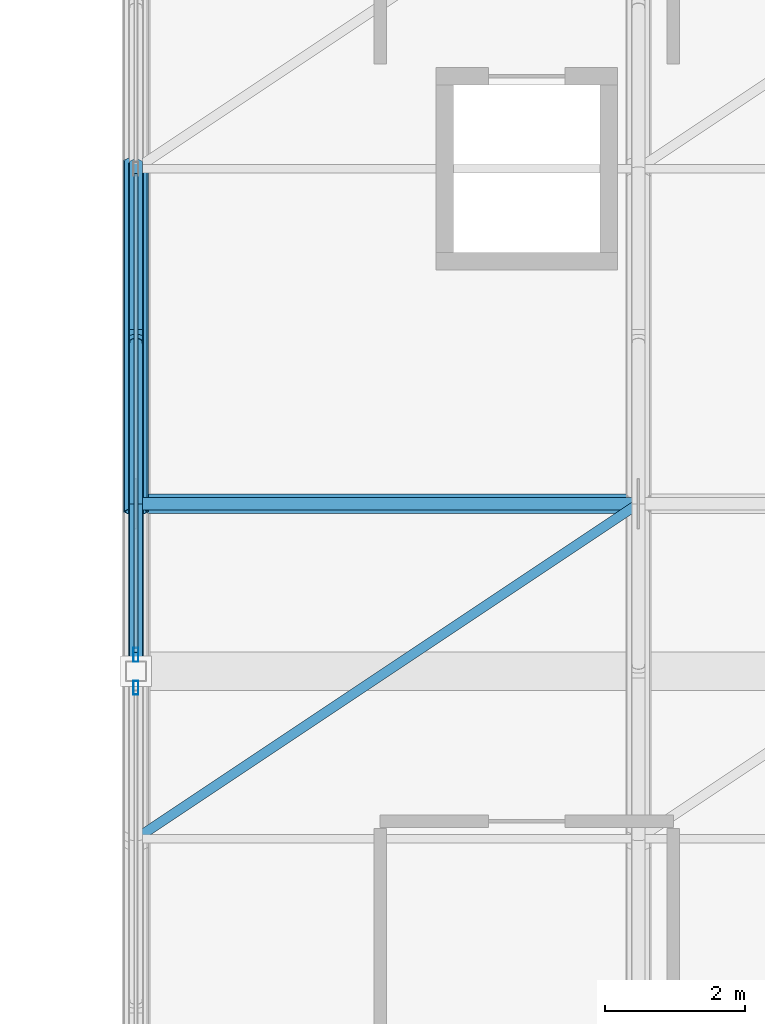
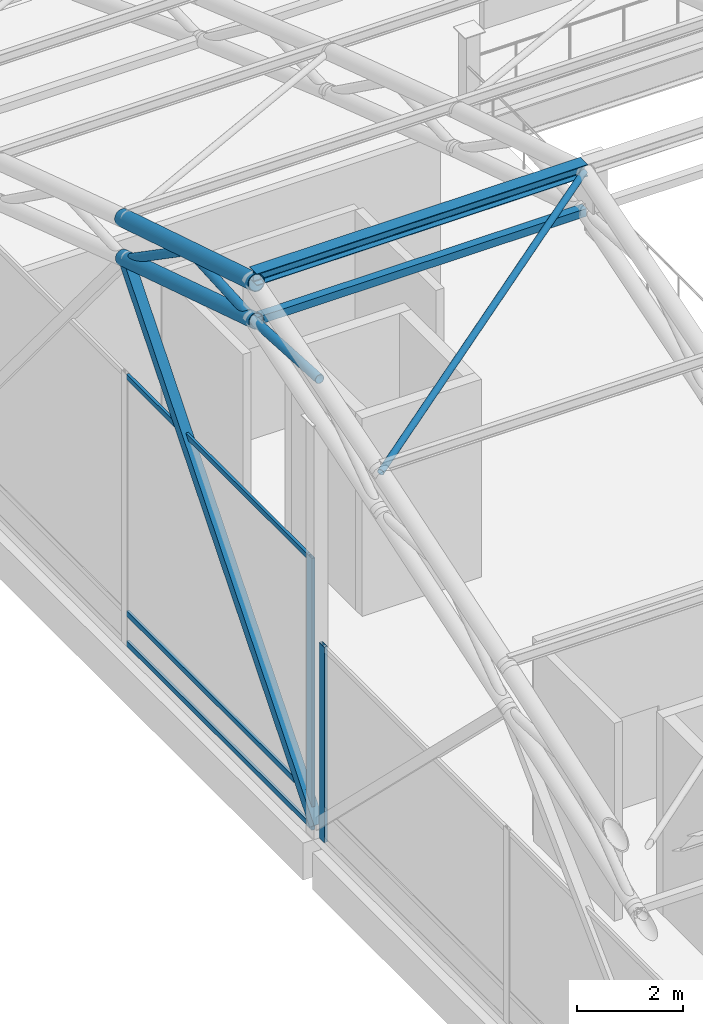
# One storey, part 44 of 116: 14 members, 2 elements without a shape of their own.
"""IFC4 building model written with IfcOpenShell, lengths in metres."""

import ifcopenshell
import ifcopenshell.guid

model = None  # the IFC model being written
_history = None  # IfcOwnerHistory: only IFC2X3 demands one
_inside = {}  # id of a spatial element -> (the spatial element, [elements in it])
_under = {}  # id of a project, library or spatial element -> (it, [spatial elements below it])
_declared = {}  # id of a project -> (the project, [libraries it declares])
_typed = {}  # id of a type object -> (the type object, [elements of that type])
_made_of = {}  # id of a material, layer set ... -> (it, [elements and type objects made of it])


def new_model(schema):
    """Start an empty IFC model of exactly this schema.

    Asked for "IFC4X3", IfcOpenShell would pick the latest addendum, in which some entities
    have other attributes; the version numbers below select the first issue.
    IFC2X3 requires an IfcOwnerHistory on every rooted entity: one is made here for all.
    """
    global model, _history
    if schema == "IFC4X3":
        model = ifcopenshell.file(schema_version=(4, 3, 0, 0))
    else:
        model = ifcopenshell.file(schema=schema)
    _inside.clear()
    _under.clear()
    _declared.clear()
    _typed.clear()
    _made_of.clear()
    _history = None
    if model.schema == "IFC2X3":
        org = make("IfcOrganization", Name="unknown")
        user = make(
            "IfcPersonAndOrganization",
            ThePerson=make("IfcPerson", FamilyName="unknown"),
            TheOrganization=org,
        )
        app = make(
            "IfcApplication",
            ApplicationDeveloper=org,
            Version="unknown",
            ApplicationFullName="unknown",
            ApplicationIdentifier="unknown",
        )
        _history = make(
            "IfcOwnerHistory",
            OwningUser=user,
            OwningApplication=app,
            ChangeAction="ADDED",
            CreationDate=0,
        )
    return model


def make(cls, **values):
    """One entity of the class cls with the attributes given. An attribute that is None is left unset."""
    return model.create_entity(
        cls, **{name: value for name, value in values.items() if value is not None}
    )


def rooted(cls, **values):
    """An entity with a GlobalId (a new one), such as an element, a storey or a relation."""
    return make(cls, GlobalId=ifcopenshell.guid.new(), OwnerHistory=_history, **values)


def si_unit(unit_type, name, prefix=None):
    """IfcSIUnit, for example si_unit("LENGTHUNIT", "METRE", prefix="MILLI")."""
    return make("IfcSIUnit", UnitType=unit_type, Prefix=prefix, Name=name)


def assignment(units):
    """IfcUnitAssignment: the units of a project."""
    return None if units is None else make("IfcUnitAssignment", Units=units)


def point(xyz):
    """IfcCartesianPoint."""
    return None if xyz is None else make("IfcCartesianPoint", Coordinates=xyz)


def direction(xyz):
    """IfcDirection."""
    return None if xyz is None else make("IfcDirection", DirectionRatios=xyz)


def frame(location, z_axis=None, x_axis=None):
    """IfcAxis2Placement3D, a coordinate frame: its origin and axes. An axis left out is left unset."""
    return make(
        "IfcAxis2Placement3D",
        Location=point(location),
        Axis=direction(z_axis),
        RefDirection=direction(x_axis),
    )


def frame_2d(location, x_axis=None):
    """IfcAxis2Placement2D, a coordinate frame in the plane: its origin and x axis."""
    return make(
        "IfcAxis2Placement2D", Location=point(location), RefDirection=direction(x_axis)
    )


def origin():
    """The frame at (0, 0, 0) with its axes left unset."""
    return frame((0.0, 0.0, 0.0))


def origin_2d():
    """The frame at (0, 0) in the plane with its x axis left unset."""
    return frame_2d((0.0, 0.0))


def place(relative_to, where):
    """IfcLocalPlacement: puts the frame where relative to a parent placement (None: the world)."""
    return make(
        "IfcLocalPlacement", PlacementRelTo=relative_to, RelativePlacement=where
    )


def context(
    kind, dimensions, precision=None, world=None, true_north=None, identifier=None
):
    """IfcGeometricRepresentationContext, for example the 3D "Model" context."""
    return make(
        "IfcGeometricRepresentationContext",
        ContextIdentifier=identifier,
        ContextType=kind,
        CoordinateSpaceDimension=dimensions,
        Precision=precision,
        WorldCoordinateSystem=world,
        TrueNorth=true_north,
    )


def subcontext(parent, identifier, kind, view, scale=None):
    """IfcGeometricRepresentationSubContext, for example "Body" below "Model"."""
    return make(
        "IfcGeometricRepresentationSubContext",
        ContextIdentifier=identifier,
        ContextType=kind,
        ParentContext=parent,
        TargetScale=scale,
        TargetView=view,
    )


def project(units=None, contexts=None):
    """IfcProject with its units and contexts."""
    return rooted(
        "IfcProject",
        Name="project",
        RepresentationContexts=contexts,
        UnitsInContext=assignment(units),
    )


def spatial(cls, under=None, at=None, **own):
    """A site, building, storey or space (cls), placed at a placement, below another one or the project."""
    s = rooted(cls, ObjectPlacement=at, **own)
    if under is not None:
        _under.setdefault(under.id(), (under, []))[1].append(s)
    return s


def profile(cls, at=None, kind="AREA", **sizes):
    """A parametric profile (cls). Its sizes go by their IFC names, for example OverallWidth=200.0."""
    return make(cls, ProfileType=kind, Position=at, **sizes)


def hollow_rectangle(**sizes):
    """IfcRectangleHollowProfileDef."""
    return profile("IfcRectangleHollowProfileDef", **sizes)


def hollow_circle(**sizes):
    """IfcCircleHollowProfileDef."""
    return profile("IfcCircleHollowProfileDef", **sizes)


def i_section(**sizes):
    """IfcIShapeProfileDef."""
    return profile("IfcIShapeProfileDef", **sizes)


def extrude(swept, where, along, depth):
    """IfcExtrudedAreaSolid: the profile swept, set in the frame where, extruded along a direction by depth."""
    return make(
        "IfcExtrudedAreaSolid",
        SweptArea=swept,
        Position=where,
        ExtrudedDirection=direction(along),
        Depth=depth,
    )


def shape(context_of_items, identifier, shape_type, items):
    """IfcShapeRepresentation: the items that make up one representation, for example the "Body"."""
    return make(
        "IfcShapeRepresentation",
        ContextOfItems=context_of_items,
        RepresentationIdentifier=identifier,
        RepresentationType=shape_type,
        Items=items,
    )


def material(Name=None, Category=None):
    """IfcMaterial."""
    return make("IfcMaterial", Name=Name, Category=Category)


def material_profile(
    of_material, cross_section, Name=None, Category=None, Priority=None
):
    """IfcMaterialProfile: a cross section and its material."""
    return make(
        "IfcMaterialProfile",
        Name=Name,
        Material=of_material,
        Profile=cross_section,
        Priority=Priority,
        Category=Category,
    )


def profile_set(profiles, Name=None, composite=None):
    """IfcMaterialProfileSet."""
    return make(
        "IfcMaterialProfileSet",
        Name=Name,
        MaterialProfiles=profiles,
        CompositeProfile=composite,
    )


def made_of(thing, what):
    """Note that an element or type object is made of a material, layer set ...; save() writes the relation."""
    if what is not None:
        _made_of.setdefault(what.id(), (what, []))[1].append(thing)
    return thing


def type_object(cls, material=None, **own):
    """A type object (cls), such as IfcWallType, which elements share."""
    return made_of(rooted(cls, **own), material)


def element(
    cls,
    number,
    at=None,
    inside=None,
    cuts=None,
    type_object=None,
    material=None,
    context=None,
    identifier="Body",
    shape_type=None,
    held_by="IfcProductDefinitionShape",
    body=None,
    shapes=None,
    **own,
):
    """One element of the class cls, such as IfcWall. Its Tag is "e" and its number.

    at: its placement. inside: the storey or other place that contains it. cuts: it is an
    opening in that element (IfcRelVoidsElement). A single representation is given by context,
    identifier, shape_type and body (its items); several are given by shapes. held_by: the class
    of the entity that holds the representations. save() writes the other relations.
    """
    e = rooted(cls, Tag="e%d" % number, ObjectPlacement=at, **own)
    if body is not None:
        shapes = [shape(context, identifier, shape_type, body)]
    if shapes is not None:
        e.Representation = make(held_by, Representations=shapes)
    if inside is not None:
        _inside.setdefault(inside.id(), (inside, []))[1].append(e)
    if cuts is not None:
        rooted(
            "IfcRelVoidsElement", RelatingBuildingElement=cuts, RelatedOpeningElement=e
        )
    if type_object is not None:
        _typed.setdefault(type_object.id(), (type_object, []))[1].append(e)
    return made_of(e, material)


def aggregate(whole, parts):
    """IfcRelAggregates: a whole, such as a stair, and the parts it consists of."""
    return rooted("IfcRelAggregates", RelatingObject=whole, RelatedObjects=parts)


def save(model, path):
    """Write the relations noted so far, then the file.

    IfcRelAggregates (storeys below a building ...), IfcRelContainedInSpatialStructure (elements
    in a storey), IfcRelDefinesByType, IfcRelAssociatesMaterial and IfcRelDeclares: one each for
    every whole, place, type object, material and project.
    """
    for whole, parts in _under.values():
        aggregate(whole, parts)
    for where, things in _inside.values():
        rooted(
            "IfcRelContainedInSpatialStructure",
            RelatedElements=things,
            RelatingStructure=where,
        )
    for kind, things in _typed.values():
        rooted("IfcRelDefinesByType", RelatedObjects=things, RelatingType=kind)
    for what, things in _made_of.values():
        rooted("IfcRelAssociatesMaterial", RelatedObjects=things, RelatingMaterial=what)
    for by, libraries in _declared.values():
        rooted("IfcRelDeclares", RelatingContext=by, RelatedDefinitions=libraries)
    model.write(path)


model = new_model("IFC4")

# Units and contexts
model_context = context("Model", 3, precision=1e-05, world=origin(), true_north=direction((0.0, 1.0)))
body_context = subcontext(model_context, "Body", "Model", "MODEL_VIEW")
ifc_project = project(units=[si_unit("LENGTHUNIT", "METRE"), si_unit("AREAUNIT", "SQUARE_METRE"), si_unit("VOLUMEUNIT", "CUBIC_METRE"), si_unit("PLANEANGLEUNIT", "RADIAN"), si_unit("MASSUNIT", "GRAM", prefix="KILO")], contexts=[model_context])

# Site, building, storey
site_placement = place(None, origin())
site = spatial("IfcSite", under=ifc_project, at=site_placement, CompositionType="ELEMENT")
building_placement = place(site_placement, origin())
building = spatial("IfcBuilding", under=site, at=building_placement, Name="Cendralis Lancet Convention Centre", CompositionType="ELEMENT")
storey_placement = place(building_placement, frame((0.0, 0.0, 15.0)))
storey = spatial("IfcBuildingStorey", under=building, at=storey_placement, Name="L03", CompositionType="ELEMENT", Elevation=15.0)

# Curtain wall, member
ifc_material_1 = material(Name="Anodised bronze architectural aluminium", Category="aluminium")
curtain_wall_type = type_object("IfcCurtainWallType", Name="ARC-CW-PL02", PredefinedType="USERDEFINED", material=ifc_material_1)
curtain_wall_1_placement = place(storey_placement, origin())
curtain_wall_1 = element("IfcCurtainWall", 1, at=curtain_wall_1_placement, inside=storey, type_object=curtain_wall_type, Name="L03 Curtain Wall CW-PL2 #137", ObjectType="CURTAIN WALL", PredefinedType="USERDEFINED")
ifc_material_profile_1 = material_profile(ifc_material_1, hollow_rectangle(XDim=0.070068359375, YDim=0.199951171875, WallThickness=0.0048828125, at=origin_2d()), Name="AL-MULL 70x200x5.0")
ifc_profile_set_1 = profile_set([ifc_material_profile_1], Name="Anodised bronze architectural aluminium")
member_type_1 = type_object("IfcMemberType", Name="ARC-CW-ML02", PredefinedType="MULLION", material=ifc_profile_set_1)
member_1_placement = place(storey_placement, frame((139.199951171875, 64.56494140625, 0.0), z_axis=(0.0, 0.0, 1.0), x_axis=(1.0, 0.0, 0.0)))
member_1 = element("IfcMember", 2, at=member_1_placement, type_object=member_type_1, Name="Mullion CW2-CW-PL2-L03-137-M2", PredefinedType="MULLION", context=body_context, shape_type="SweptSolid", body=[
    extrude(hollow_rectangle(XDim=0.070068359375, YDim=0.199951171875, WallThickness=0.0048828125, at=origin_2d()), origin(), (0.0, 0.0, 1.0), 4.4970703125),
])
aggregate(curtain_wall_1, [member_1])

# Curtain wall, members
curtain_wall_2_placement = place(storey_placement, origin())
curtain_wall_2 = element("IfcCurtainWall", 3, at=curtain_wall_2_placement, inside=storey, type_object=curtain_wall_type, Name="L03 Curtain Wall CW-PL2 #138", ObjectType="CURTAIN WALL", PredefinedType="USERDEFINED")
member_2_placement = place(storey_placement, frame((139.199951171875, 65.034912109375, 0.0), z_axis=(0.0, 0.0, 1.0), x_axis=(1.0, 0.0, 0.0)))
member_2 = element("IfcMember", 4, at=member_2_placement, type_object=member_type_1, Name="Mullion CW2-CW-PL2-L03-138-M0", PredefinedType="MULLION", context=body_context, shape_type="SweptSolid", body=[
    extrude(hollow_rectangle(XDim=0.070068359375, YDim=0.199951171875, WallThickness=0.0048828125, at=origin_2d()), origin(), (0.0, 0.0, 1.0), 6.2548828125),
])
ifc_material_profile_2 = material_profile(ifc_material_1, hollow_rectangle(XDim=0.06005859375, YDim=0.1201171875, WallThickness=0.00390625, at=origin_2d()), Name="AL-TRAN 60x120x4.0")
ifc_profile_set_2 = profile_set([ifc_material_profile_2], Name="Anodised bronze architectural aluminium")
member_type_2 = type_object("IfcMemberType", Name="ARC-CW-TR01", PredefinedType="USERDEFINED", material=ifc_profile_set_2)
member_3_placement = place(storey_placement, frame((139.199951171875, 65.070068359375, 0.06005859375), z_axis=(0.0, 1.0, 0.0), x_axis=(-1.0, 0.0, 0.0)))
member_3 = element("IfcMember", 5, at=member_3_placement, type_object=member_type_2, Name="Transom CW2-CW-PL2-L03-138-T0BOT", ObjectType="TRANSOM", PredefinedType="USERDEFINED", context=body_context, shape_type="SweptSolid", body=[
    extrude(hollow_rectangle(XDim=0.06005859375, YDim=0.1201171875, WallThickness=0.00390625, at=origin_2d()), origin(), (0.0, 0.0, 1.0), 6.85986328125),
])
member_4_placement = place(storey_placement, frame((139.199951171875, 65.070068359375, 0.75), z_axis=(0.0, 1.0, 0.0), x_axis=(-1.0, 0.0, 0.0)))
member_4 = element("IfcMember", 6, at=member_4_placement, type_object=member_type_2, Name="Transom CW2-CW-PL2-L03-138-T0MID", ObjectType="TRANSOM", PredefinedType="USERDEFINED", context=body_context, shape_type="SweptSolid", body=[
    extrude(hollow_rectangle(XDim=0.06005859375, YDim=0.1201171875, WallThickness=0.00390625, at=origin_2d()), origin(), (0.0, 0.0, 1.0), 6.85986328125),
])
member_5_placement = place(storey_placement, frame((139.199951171875, 65.070068359375, 6.195068359375), z_axis=(0.0, 1.0, 0.0), x_axis=(-1.0, 0.0, 0.0)))
member_5 = element("IfcMember", 7, at=member_5_placement, type_object=member_type_2, Name="Transom CW2-CW-PL2-L03-138-T0TOP", ObjectType="TRANSOM", PredefinedType="USERDEFINED", context=body_context, shape_type="SweptSolid", body=[
    extrude(hollow_rectangle(XDim=0.06005859375, YDim=0.1201171875, WallThickness=0.00390625, at=origin_2d()), origin(), (0.0, 0.0, 1.0), 6.85986328125),
])
aggregate(curtain_wall_2, [member_2, member_3, member_4, member_5])

# Members
ifc_material_2 = material(Name="Steel S355", Category="steel")
ifc_material_profile_3 = material_profile(ifc_material_2, hollow_rectangle(XDim=0.219970703125, YDim=0.219970703125, WallThickness=0.012451171875, at=origin_2d()), Name="SHS 220x220x12.5")
ifc_profile_set_3 = profile_set([ifc_material_profile_3], Name="Steel S355")
member_type_3 = type_object("IfcMemberType", Name="STR-BR-GB02", PredefinedType="BRACE", material=ifc_profile_set_3)
member_6_placement = place(storey_placement, frame((139.199951171875, 64.800048828125, 0.199951171875), z_axis=(0.0, 0.639706349846, 0.768619402544), x_axis=(-1.0, 0.0, 0.0)))
element("IfcMember", 8, at=member_6_placement, inside=storey, type_object=member_type_3, Name="Plenary Gable Gothic Ogival Tracery Rib GBR2 #065", PredefinedType="BRACE", context=body_context, shape_type="SweptSolid", body=[
    extrude(hollow_rectangle(XDim=0.219970703125, YDim=0.219970703125, WallThickness=0.012451171875, at=origin_2d()), origin(), (0.0, 0.0, 1.0), 11.255126953125),
])
ifc_material_profile_4 = material_profile(ifc_material_2, hollow_circle(Radius=0.06982421875, WallThickness=0.00634765625, at=origin_2d()), Name="CHS 139.7x6.3")
ifc_profile_set_4 = profile_set([ifc_material_profile_4], Name="Steel S355")
member_type_4 = type_object("IfcMemberType", Name="STR-BR-RB02", PredefinedType="BRACE", material=ifc_profile_set_4)
member_7_placement = place(storey_placement, frame((139.199951171875, 62.39990234375, 9.7666015625), z_axis=(0.820083420216, 0.546731549451, 0.16896093253), x_axis=(-0.554706707029, 0.832045953765, 0.0)))
element("IfcMember", 9, at=member_7_placement, inside=storey, type_object=member_type_4, Name="Roof Diaphragm Brace RB02 V2-00-04A", PredefinedType="BRACE", context=body_context, shape_type="SweptSolid", body=[
    extrude(hollow_circle(Radius=0.06982421875, WallThickness=0.00634765625, at=origin_2d()), origin(), (0.0, 0.0, 1.0), 8.779541015625),
])
ifc_material_profile_5 = material_profile(ifc_material_2, hollow_rectangle(XDim=0.179931640625, YDim=0.179931640625, WallThickness=0.010009765625, at=origin_2d()), Name="SHS 180x180x10.0")
ifc_profile_set_5 = profile_set([ifc_material_profile_5], Name="Steel S355")
member_type_5 = type_object("IfcMemberType", Name="STR-BR-ST02", PredefinedType="STRUT", material=ifc_profile_set_5)
member_8_placement = place(storey_placement, frame((139.199951171875, 67.199951171875, 10.367919921875), z_axis=(1.0, 0.0, 0.0), x_axis=(0.0, 1.0, 0.0)))
element("IfcMember", 10, at=member_8_placement, inside=storey, type_object=member_type_5, Name="Arch Tie Strut ST02 V2-00-05", PredefinedType="STRUT", context=body_context, shape_type="SweptSolid", body=[
    extrude(hollow_rectangle(XDim=0.179931640625, YDim=0.179931640625, WallThickness=0.010009765625, at=origin_2d()), origin(), (0.0, 0.0, 1.0), 7.199951171875),
])
ifc_material_profile_6 = material_profile(ifc_material_2, i_section(OverallWidth=0.280029296875, OverallDepth=0.27001953125, WebThickness=0.008056640625, FlangeThickness=0.012939453125, FilletRadius=0.02392578125, at=origin_2d()), Name="HEA 280")
ifc_profile_set_6 = profile_set([ifc_material_profile_6], Name="Steel S355")
member_type_6 = type_object("IfcMemberType", Name="STR-PR-PR06", PredefinedType="PURLIN", material=ifc_profile_set_6)
member_9_placement = place(storey_placement, frame((139.199951171875, 67.199951171875, 11.364990234375), z_axis=(1.0, 0.0, 0.0), x_axis=(0.0, 1.0, 0.0)))
element("IfcMember", 11, at=member_9_placement, inside=storey, type_object=member_type_6, Name="Vault Roof Purlin PR06 V2-00-05", PredefinedType="PURLIN", context=body_context, shape_type="SweptSolid", body=[
    extrude(i_section(OverallWidth=0.280029296875, OverallDepth=0.27001953125, WebThickness=0.008056640625, FlangeThickness=0.012939453125, FilletRadius=0.02392578125, at=origin_2d()), origin(), (0.0, 0.0, 1.0), 7.199951171875),
])
ifc_material_profile_7 = material_profile(ifc_material_2, hollow_circle(Radius=0.161865234375, WallThickness=0.01416015625, at=origin_2d()), Name="CHS 323.9x14.2")
ifc_profile_set_7 = profile_set([ifc_material_profile_7], Name="Steel S355")
member_type_7 = type_object("IfcMemberType", Name="STR-TR-BC02", PredefinedType="CHORD", material=ifc_profile_set_7)
member_10_placement = place(storey_placement, frame((139.199951171875, 67.085693359375, 10.404296875), z_axis=(0.0, 0.953497974751, -0.301399422935), x_axis=(-1.0, 0.0, 0.0)))
element("IfcMember", 12, at=member_10_placement, inside=storey, type_object=member_type_7, Name="ROOF TRUSS AT-V2-01 Bottom Chord 05", PredefinedType="CHORD", context=body_context, shape_type="SweptSolid", body=[
    extrude(hollow_circle(Radius=0.161865234375, WallThickness=0.01416015625, at=origin_2d()), origin(), (0.0, 0.0, 1.0), 5.274169921875),
])
ifc_material_profile_8 = material_profile(ifc_material_2, hollow_circle(Radius=0.177734375, WallThickness=0.01611328125, at=origin_2d()), Name="CHS 355.6x16.0")
ifc_profile_set_8 = profile_set([ifc_material_profile_8], Name="Steel S355")
member_type_8 = type_object("IfcMemberType", Name="STR-TR-TC02", PredefinedType="CHORD", material=ifc_profile_set_8)
member_11_placement = place(storey_placement, frame((139.199951171875, 67.08544921875, 11.285400390625), z_axis=(0.0, 0.955415250206, -0.295265473218), x_axis=(-1.0, 0.0, 0.0)))
element("IfcMember", 13, at=member_11_placement, inside=storey, type_object=member_type_8, Name="ROOF TRUSS AT-V2-01 Top Chord 05", PredefinedType="CHORD", context=body_context, shape_type="SweptSolid", body=[
    extrude(hollow_circle(Radius=0.177734375, WallThickness=0.01611328125, at=origin_2d()), origin(), (0.0, 0.0, 1.0), 5.263671875),
])
ifc_material_profile_9 = material_profile(ifc_material_2, hollow_circle(Radius=0.096923828125, WallThickness=0.008056640625, at=origin_2d()), Name="CHS 193.7x8.0")
ifc_profile_set_9 = profile_set([ifc_material_profile_9], Name="Steel S355")
member_type_9 = type_object("IfcMemberType", Name="STR-TR-WD02", PredefinedType="BRACE", material=ifc_profile_set_9)
for number, where, z_axis, x_axis, name in (
    (14, (139.199951171875, 64.7001953125, 10.51416015625), (0.0, 0.998298213899, -0.058315316402), (-1.0, 0.0, 0.0), "ROOF TRUSS AT-V2-01 Warren Web 04-1"),
    (15, (139.199951171875, 67.10009765625, 10.3623046875), (0.0, 0.998298213899, 0.058315316402), (-1.0, 0.0, 0.0), "ROOF TRUSS AT-V2-01 Warren Web 05-0"),
):
    element("IfcMember", number, at=place(storey_placement, frame(where, z_axis=z_axis, x_axis=x_axis)), inside=storey, type_object=member_type_9, Name=name, PredefinedType="BRACE", context=body_context, shape_type="SweptSolid", body=[
        extrude(hollow_circle(Radius=0.096923828125, WallThickness=0.008056640625, at=origin_2d()), origin(), (0.0, 0.0, 1.0), 2.60400390625),
    ])
member_12_placement = place(storey_placement, frame((139.199951171875, 69.517578125, 10.565185546875), z_axis=(0.0, 0.822876843509, -0.56821976419), x_axis=(-1.0, 0.0, 0.0)))
element("IfcMember", 16, at=member_12_placement, inside=storey, type_object=member_type_9, Name="ROOF TRUSS AT-V2-01 Warren Web 05-1", PredefinedType="BRACE", context=body_context, shape_type="SweptSolid", body=[
    extrude(hollow_circle(Radius=0.096923828125, WallThickness=0.008056640625, at=origin_2d()), origin(), (0.0, 0.0, 1.0), 3.11669921875),
])

save(model, "model.ifc")
